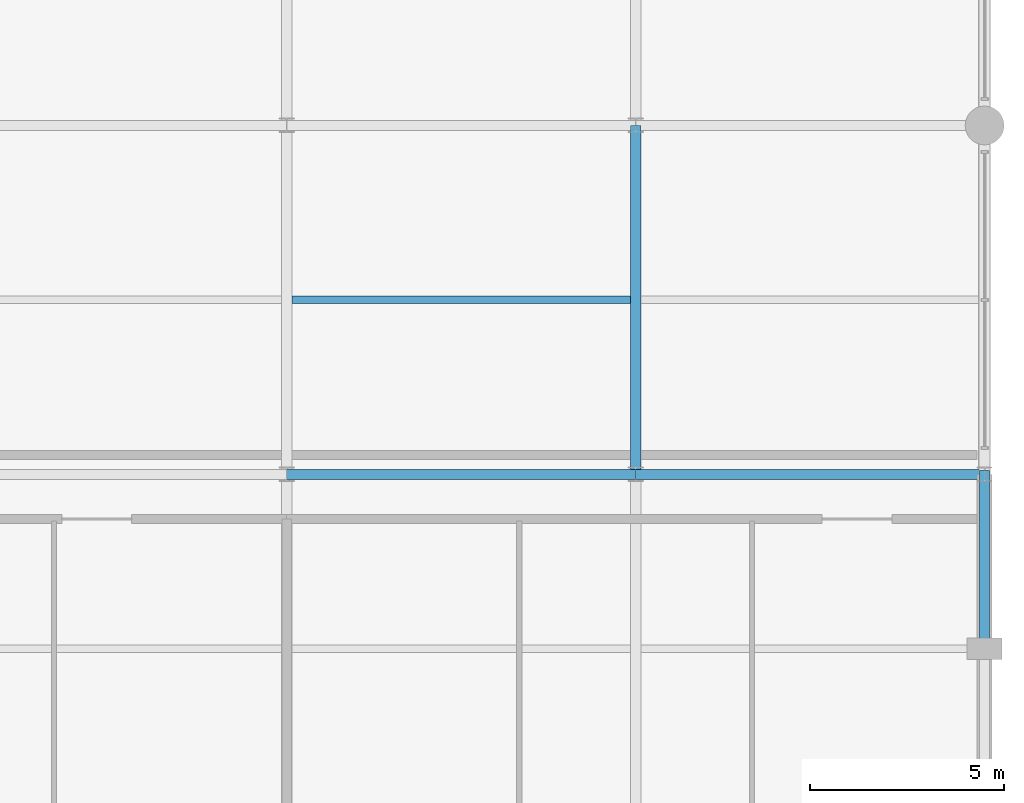
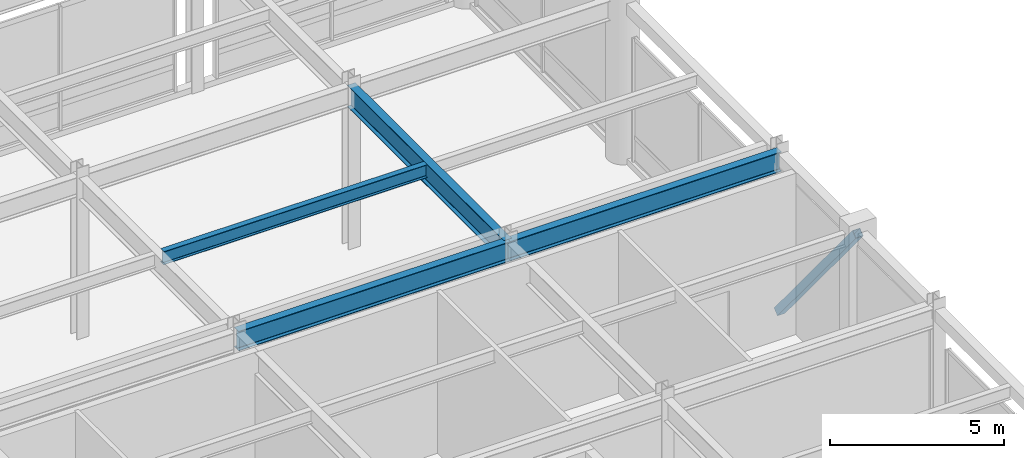
# One storey, part 55 of 108: 4 beams, 1 member.
"""IFC4 building model written with IfcOpenShell, lengths in metres."""

from ifc_helpers import new_model, si_unit, direction, frame, origin, origin_2d, place, context, subcontext, project, spatial, hollow_rectangle, i_section, extrude, material, material_profile, profile_set, type_object, element, save


model = new_model("IFC4")

# Units and contexts
model_context = context("Model", 3, precision=1e-05, world=origin(), true_north=direction((0.0, 1.0)))
body_context = subcontext(model_context, "Body", "Model", "MODEL_VIEW")
ifc_project = project(units=[si_unit("LENGTHUNIT", "METRE"), si_unit("AREAUNIT", "SQUARE_METRE"), si_unit("VOLUMEUNIT", "CUBIC_METRE"), si_unit("PLANEANGLEUNIT", "RADIAN"), si_unit("MASSUNIT", "GRAM", prefix="KILO")], contexts=[model_context])

# Site, building, storey
site_placement = place(None, origin())
site = spatial("IfcSite", under=ifc_project, at=site_placement, CompositionType="ELEMENT")
building_placement = place(site_placement, origin())
building = spatial("IfcBuilding", under=site, at=building_placement, Name="Kaldorvane Square Convention Centre", CompositionType="ELEMENT")
storey_placement = place(building_placement, frame((0.0, 0.0, 12.0)))
storey = spatial("IfcBuildingStorey", under=building, at=storey_placement, Name="L02", CompositionType="ELEMENT", Elevation=12.0)

# Beams
ifc_material_1 = material(Name="Steel ASTM A992 Gr. 50", Category="steel")
ifc_material_profile_1 = material_profile(ifc_material_1, i_section(OverallWidth=0.25439453125, OverallDepth=0.6880950927734375, WebThickness=0.0131072998046875, FlangeThickness=0.0211029052734375, FilletRadius=0.01519775390625, at=origin_2d()), Name="W27X102")
ifc_profile_set_1 = profile_set([ifc_material_profile_1], Name="Steel ASTM A992 Gr. 50")
beam_type_1 = type_object("IfcBeamType", Name="BM-GR-W27X102", PredefinedType="BEAM", material=ifc_profile_set_1)
for number, where, z_axis, x_axis, name in (
    (1, (156.0, 18.0, 5.3018951416015625), (1.0, 0.0, 0.0), (0.0, 1.0, 0.0), "Primary Girder (L02)"),
    (2, (165.0, 18.0, 5.3018951416015625), (1.0, 0.0, 0.0), (0.0, 1.0, 0.0), "Primary Girder (L02)"),
):
    element("IfcBeam", number, at=place(storey_placement, frame(where, z_axis=z_axis, x_axis=x_axis)), inside=storey, type_object=beam_type_1, Name=name, PredefinedType="BEAM", context=body_context, shape_type="SweptSolid", body=[
        extrude(i_section(OverallWidth=0.25439453125, OverallDepth=0.6880950927734375, WebThickness=0.0131072998046875, FlangeThickness=0.0211029052734375, FilletRadius=0.01519775390625, at=origin_2d()), origin(), (0.0, 0.0, 1.0), 9.0),
    ])
ifc_material_profile_2 = material_profile(ifc_material_1, i_section(OverallWidth=0.2666015625, OverallDepth=0.762298583984375, WebThickness=0.014404296875, FlangeThickness=0.0216064453125, FilletRadius=0.0164947509765625, at=origin_2d()), Name="W30X116")
ifc_profile_set_2 = profile_set([ifc_material_profile_2], Name="Steel ASTM A992 Gr. 50")
beam_type_2 = type_object("IfcBeamType", Name="BM-GR-W30X116", PredefinedType="BEAM", material=ifc_profile_set_2)
beam_1_placement = place(storey_placement, frame((165.0, 18.0, 5.264801025390625), z_axis=(0.0, 1.0, 0.0), x_axis=(-1.0, 0.0, 0.0)))
element("IfcBeam", 3, at=beam_1_placement, inside=storey, type_object=beam_type_2, Name="Transverse Girder (L02)", PredefinedType="BEAM", context=body_context, shape_type="SweptSolid", body=[
    extrude(i_section(OverallWidth=0.2666015625, OverallDepth=0.762298583984375, WebThickness=0.014404296875, FlangeThickness=0.0216064453125, FilletRadius=0.0164947509765625, at=origin_2d()), origin(), (0.0, 0.0, 1.0), 9.0),
])
ifc_material_profile_3 = material_profile(ifc_material_1, i_section(OverallWidth=0.1912994384765625, OverallDepth=0.4600067138671875, WebThickness=0.0099029541015625, FlangeThickness=0.0160064697265625, FilletRadius=0.01019287109375, at=origin_2d()), Name="W18X55")
ifc_profile_set_3 = profile_set([ifc_material_profile_3], Name="Steel ASTM A992 Gr. 50")
beam_type_3 = type_object("IfcBeamType", Name="BM-JS-W18X55", PredefinedType="JOIST", material=ifc_profile_set_3)
beam_2_placement = place(storey_placement, frame((156.13330078125, 22.5, 5.4160003662109375), z_axis=(1.0, 0.0, 0.0), x_axis=(0.0, 1.0, 0.0)))
element("IfcBeam", 4, at=beam_2_placement, inside=storey, type_object=beam_type_3, Name="Secondary Floor Joist (L02)", PredefinedType="JOIST", context=body_context, shape_type="SweptSolid", body=[
    extrude(i_section(OverallWidth=0.1912994384765625, OverallDepth=0.4600067138671875, WebThickness=0.0099029541015625, FlangeThickness=0.0160064697265625, FilletRadius=0.01019287109375, at=origin_2d()), origin(), (0.0, 0.0, 1.0), 8.7333984375),
])

# Member
ifc_material_2 = material(Name="Steel ASTM A500 Gr. C", Category="steel")
ifc_material_profile_4 = material_profile(ifc_material_2, hollow_rectangle(XDim=0.253997802734375, YDim=0.253997802734375, WallThickness=0.0117950439453125, at=origin_2d()), Name="HSS10X10X1/2")
ifc_profile_set_4 = profile_set([ifc_material_profile_4], Name="Steel ASTM A500 Gr. C")
member_type = type_object("IfcMemberType", Name="MB-BR-HSS10", PredefinedType="BRACE", material=ifc_profile_set_4)
member_placement = place(storey_placement, frame((174.0, 18.0, 0.0), z_axis=(0.0, -0.637199383553, 0.770698998053), x_axis=(1.0, 0.0, 0.0)))
element("IfcMember", 5, at=member_placement, inside=storey, type_object=member_type, Name="Seismic Chevron Brace X174-B1B (L02)", PredefinedType="BRACE", context=body_context, shape_type="SweptSolid", body=[
    extrude(hollow_rectangle(XDim=0.253997802734375, YDim=0.253997802734375, WallThickness=0.0117950439453125, at=origin_2d()), origin(), (0.0, 0.0, 1.0), 7.0621490478515625),
])

save(model, "model.ifc")
